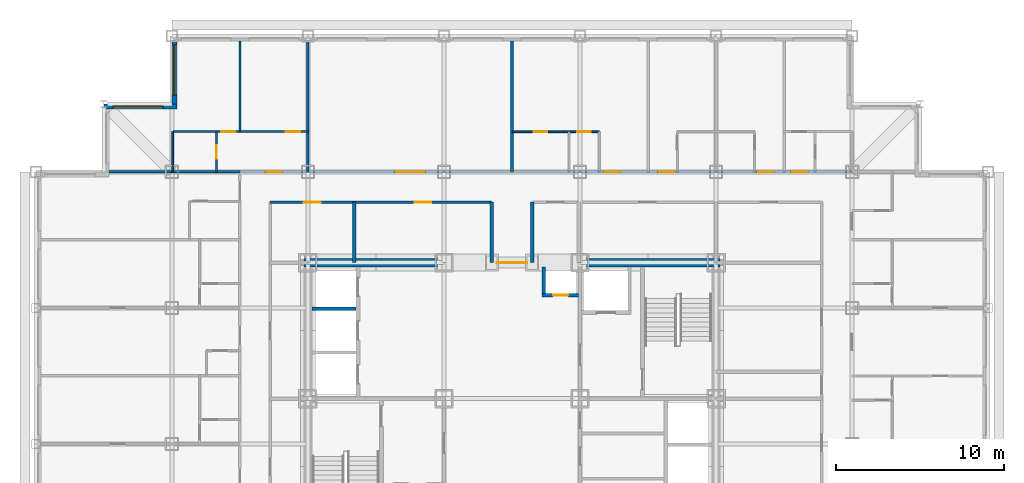
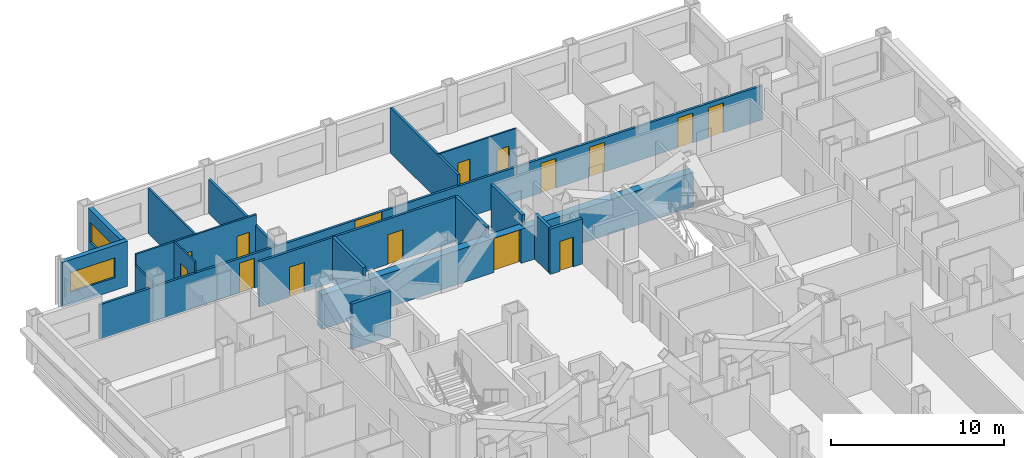
# One storey, part 9 of 12: 19 walls, 15 doors, 2 windows, 17 openings.
"""IFC4 building model written with IfcOpenShell, lengths in metres."""

from ifc_helpers import new_model, si_unit, direction, frame, frame_2d, origin, place, context, subcontext, project, spatial, rectangle, extrude, material, layer, layer_set, type_object, element, fill, save


model = new_model("IFC4")

# Units and contexts
model_context = context("Model", 3, precision=1e-05, world=origin(), true_north=direction((0.0, 1.0)))
body_context = subcontext(model_context, "Body", "Model", "MODEL_VIEW")
ifc_project = project(units=[si_unit("LENGTHUNIT", "METRE"), si_unit("AREAUNIT", "SQUARE_METRE"), si_unit("VOLUMEUNIT", "CUBIC_METRE"), si_unit("PLANEANGLEUNIT", "RADIAN"), si_unit("MASSUNIT", "GRAM", prefix="KILO")], contexts=[model_context])

# Site, building, storey
site_placement = place(None, origin())
site = spatial("IfcSite", under=ifc_project, at=site_placement, CompositionType="ELEMENT")
building_placement = place(site_placement, origin())
building = spatial("IfcBuilding", under=site, at=building_placement, Name="Kopane Lantern Tower", CompositionType="ELEMENT")
storey_placement = place(building_placement, frame((0.0, 0.0, 144.199951171875)))
storey = spatial("IfcBuildingStorey", under=building, at=storey_placement, Name="L37", CompositionType="ELEMENT", Elevation=144.199951171875)

# Wall, openings, doors
ifc_material_1 = material(Name="Gypsum board on steel studs", Category="steel")
ifc_layer_1 = layer(ifc_material_1, 0.1201171875)
ifc_layer_set_1 = layer_set([ifc_layer_1], Name="APARTMENT INTERNAL WALL 120")
wall_type_1 = type_object("IfcWallType", Name="APARTMENT INTERNAL WALL 120", PredefinedType="PARTITIONING", material=ifc_layer_set_1)
wall_1_placement = place(storey_placement, frame((8.14990234375, 48.300048828125, 0.0), z_axis=(0.0, 0.0, 1.0), x_axis=(1.0, 0.0, 0.0)))
wall_1 = element("IfcWall", 1, at=wall_1_placement, inside=storey, type_object=wall_type_1, Name="Apartment Internal Wall 120 L37", PredefinedType="PARTITIONING", context=body_context, shape_type="SweptSolid", body=[
    extrude(rectangle(XDim=8.050048828125, YDim=0.1201171875, at=frame_2d((4.02490234375, 0.0))), origin(), (0.0, 0.0, 1.0), 3.18994140625),
])
opening_1_placement = place(wall_1_placement, frame((6.72509765625, 0.0, 0.0)))
opening_1 = element("IfcOpeningElement", 2, at=opening_1_placement, cuts=wall_1, Name="Opening L37-070", PredefinedType="OPENING", context=body_context, shape_type="SweptSolid", body=[
    extrude(rectangle(XDim=0.85009765625, YDim=2.10009765625, at=frame_2d((0.425048828125, 1.050048828125))), frame((0.0, 0.070068359375, 0.0), z_axis=(0.0, -1.0, 0.0), x_axis=(1.0, 0.0, 0.0)), (0.0, 0.0, 1.0), 0.14013671875),
])
opening_2_placement = place(wall_1_placement, frame((2.875, 0.0, 0.0)))
opening_2 = element("IfcOpeningElement", 3, at=opening_2_placement, cuts=wall_1, Name="Opening L37-072", PredefinedType="OPENING", context=body_context, shape_type="SweptSolid", body=[
    extrude(rectangle(XDim=0.85009765625, YDim=2.10009765625, at=frame_2d((0.425048828125, 1.050048828125))), frame((0.0, 0.070068359375, 0.0), z_axis=(0.0, -1.0, 0.0), x_axis=(1.0, 0.0, 0.0)), (0.0, 0.0, 1.0), 0.14013671875),
])
ifc_material_2 = material(Name="Timber door set", Category="wood")
door_type_1 = type_object("IfcDoorType", Name="DOOR D4 850x2100", OperationType="SINGLE_SWING_LEFT", PredefinedType="DOOR", material=ifc_material_2)
door_1_placement = place(opening_1_placement, origin())
door_1 = element("IfcDoor", 4, at=door_1_placement, inside=storey, type_object=door_type_1, Name="Door L37-070", OperationType="SINGLE_SWING_LEFT", OverallHeight=2.10009765625, OverallWidth=0.85009765625, PredefinedType="DOOR", context=body_context, shape_type="SweptSolid", body=[
    extrude(rectangle(XDim=0.85009765625, YDim=2.10009765625, at=frame_2d((0.425048828125, 1.050048828125))), frame((0.0, 0.02490234375, 0.0), z_axis=(0.0, -1.0, 0.0), x_axis=(1.0, 0.0, 0.0)), (0.0, 0.0, 1.0), 0.050048828125),
])
fill(opening_1, door_1)
door_2_placement = place(opening_2_placement, origin())
door_2 = element("IfcDoor", 5, at=door_2_placement, inside=storey, type_object=door_type_1, Name="Door L37-072", OperationType="SINGLE_SWING_RIGHT", OverallHeight=2.10009765625, OverallWidth=0.85009765625, PredefinedType="DOOR", context=body_context, shape_type="SweptSolid", body=[
    extrude(rectangle(XDim=0.85009765625, YDim=2.10009765625, at=frame_2d((0.425048828125, 1.050048828125))), frame((0.0, 0.02490234375, 0.0), z_axis=(0.0, -1.0, 0.0), x_axis=(1.0, 0.0, 0.0)), (0.0, 0.0, 1.0), 0.050048828125),
])
fill(opening_2, door_2)

# Wall
wall_2_placement = place(storey_placement, frame((12.14990234375, 48.300048828125, 0.0), z_axis=(0.0, 0.0, 1.0), x_axis=(0.0, 1.0, 0.0)))
element("IfcWall", 6, at=wall_2_placement, inside=storey, type_object=wall_type_1, Name="Apartment Internal Wall 120 L37", PredefinedType="PARTITIONING", context=body_context, shape_type="SweptSolid", body=[
    extrude(rectangle(XDim=5.39990234375, YDim=0.1201171875, at=frame_2d((2.699951171875, 0.0))), origin(), (0.0, 0.0, 1.0), 3.18994140625),
])

# Wall, openings, doors
ifc_material_3 = material(Name="Moisture-resistant board on steel studs", Category="steel")
ifc_layer_2 = layer(ifc_material_3, 0.10009765625)
ifc_layer_set_2 = layer_set([ifc_layer_2], Name="BATHROOM WALL 100")
wall_type_2 = type_object("IfcWallType", Name="BATHROOM WALL 100", PredefinedType="PARTITIONING", material=ifc_layer_set_2)
wall_3_placement = place(storey_placement, frame((28.35009765625, 48.300048828125, 0.0), z_axis=(0.0, 0.0, 1.0), x_axis=(1.0, 0.0, 0.0)))
wall_3 = element("IfcWall", 7, at=wall_3_placement, inside=storey, type_object=wall_type_2, Name="Bathroom Wall 100 L37", PredefinedType="PARTITIONING", context=body_context, shape_type="SweptSolid", body=[
    extrude(rectangle(XDim=5.199951171875, YDim=0.10009765625, at=frame_2d((2.60009765625, 0.0))), origin(), (0.0, 0.0, 1.0), 3.18994140625),
])
opening_3_placement = place(wall_3_placement, frame((1.300048828125, 0.0, 0.0)))
opening_3 = element("IfcOpeningElement", 8, at=opening_3_placement, cuts=wall_3, Name="Opening L37-027", PredefinedType="OPENING", context=body_context, shape_type="SweptSolid", body=[
    extrude(rectangle(XDim=0.800048828125, YDim=2.10009765625, at=frame_2d((0.39990234375, 1.050048828125))), frame((0.0, 0.06005859375, 0.0), z_axis=(0.0, -1.0, 0.0), x_axis=(1.0, 0.0, 0.0)), (0.0, 0.0, 1.0), 0.1201171875),
])
opening_4_placement = place(wall_3_placement, frame((3.89990234375, 0.0, 0.0)))
opening_4 = element("IfcOpeningElement", 9, at=opening_4_placement, cuts=wall_3, Name="Opening L37-028", PredefinedType="OPENING", context=body_context, shape_type="SweptSolid", body=[
    extrude(rectangle(XDim=0.800048828125, YDim=2.10009765625, at=frame_2d((0.39990234375, 1.050048828125))), frame((0.0, 0.06005859375, 0.0), z_axis=(0.0, -1.0, 0.0), x_axis=(1.0, 0.0, 0.0)), (0.0, 0.0, 1.0), 0.1201171875),
])
ifc_material_4 = material(Name="Timber door set", Category="wood")
door_type_2 = type_object("IfcDoorType", Name="DOOR D2 800x2100", OperationType="SINGLE_SWING_LEFT", PredefinedType="DOOR", material=ifc_material_4)
door_3_placement = place(opening_3_placement, origin())
door_3 = element("IfcDoor", 10, at=door_3_placement, inside=storey, type_object=door_type_2, Name="Door L37-027", OperationType="SINGLE_SWING_LEFT", OverallHeight=2.10009765625, OverallWidth=0.800048828125, PredefinedType="DOOR", context=body_context, shape_type="SweptSolid", body=[
    extrude(rectangle(XDim=0.800048828125, YDim=2.10009765625, at=frame_2d((0.39990234375, 1.050048828125))), frame((0.0, 0.02490234375, 0.0), z_axis=(0.0, -1.0, 0.0), x_axis=(1.0, 0.0, 0.0)), (0.0, 0.0, 1.0), 0.050048828125),
])
fill(opening_3, door_3)
door_4_placement = place(opening_4_placement, origin())
door_4 = element("IfcDoor", 11, at=door_4_placement, inside=storey, type_object=door_type_2, Name="Door L37-028", OperationType="SINGLE_SWING_LEFT", OverallHeight=2.10009765625, OverallWidth=0.800048828125, PredefinedType="DOOR", context=body_context, shape_type="SweptSolid", body=[
    extrude(rectangle(XDim=0.800048828125, YDim=2.10009765625, at=frame_2d((0.39990234375, 1.050048828125))), frame((0.0, 0.02490234375, 0.0), z_axis=(0.0, -1.0, 0.0), x_axis=(1.0, 0.0, 0.0)), (0.0, 0.0, 1.0), 0.050048828125),
])
fill(opening_4, door_4)

# Wall, opening, door
wall_4_placement = place(storey_placement, frame((10.75, 45.89990234375, 0.0), z_axis=(0.0, 0.0, 1.0), x_axis=(0.0, 1.0, 0.0)))
wall_4 = element("IfcWall", 12, at=wall_4_placement, inside=storey, type_object=wall_type_2, Name="Bathroom Wall 100 L37", PredefinedType="PARTITIONING", context=body_context, shape_type="SweptSolid", body=[
    extrude(rectangle(XDim=2.400146484375, YDim=0.10009765625, at=frame_2d((1.2001953125, 0.0))), origin(), (0.0, 0.0, 1.0), 3.18994140625),
])
opening_5_placement = place(wall_4_placement, frame((0.800048828125, 0.0, 0.0)))
opening_5 = element("IfcOpeningElement", 13, at=opening_5_placement, cuts=wall_4, Name="Opening L37-071", PredefinedType="OPENING", context=body_context, shape_type="SweptSolid", body=[
    extrude(rectangle(XDim=0.800048828125, YDim=2.10009765625, at=frame_2d((0.39990234375, 1.050048828125))), frame((0.0, 0.06005859375, 0.0), z_axis=(0.0, -1.0, 0.0), x_axis=(1.0, 0.0, 0.0)), (0.0, 0.0, 1.0), 0.1201171875),
])
door_5_placement = place(opening_5_placement, origin())
door_5 = element("IfcDoor", 14, at=door_5_placement, inside=storey, type_object=door_type_2, Name="Door L37-071", OperationType="SINGLE_SWING_LEFT", OverallHeight=2.10009765625, OverallWidth=0.800048828125, PredefinedType="DOOR", context=body_context, shape_type="SweptSolid", body=[
    extrude(rectangle(XDim=0.800048828125, YDim=2.10009765625, at=frame_2d((0.39990234375, 1.050048828125))), frame((0.0, 0.02490234375, 0.0), z_axis=(0.0, -1.0, 0.0), x_axis=(1.0, 0.0, 0.0)), (0.0, 0.0, 1.0), 0.050048828125),
])
fill(opening_5, door_5)

# Wall
wall_5_placement = place(storey_placement, frame((8.14990234375, 45.89990234375, 0.0), z_axis=(0.0, 0.0, 1.0), x_axis=(0.0, 1.0, 0.0)))
element("IfcWall", 15, at=wall_5_placement, inside=storey, type_object=wall_type_2, Name="Bathroom Wall 100 L37", PredefinedType="PARTITIONING", context=body_context, shape_type="SweptSolid", body=[
    extrude(rectangle(XDim=2.400146484375, YDim=0.10009765625, at=frame_2d((1.2001953125, 0.0))), origin(), (0.0, 0.0, 1.0), 2.420166015625),
])

# Wall, opening, door
ifc_material_5 = material(Name="Gypsum shaft wall EI 120", Category="gypsum")
ifc_layer_3 = layer(ifc_material_5, 0.5)
ifc_layer_set_3 = layer_set([ifc_layer_3], Name="CORE PERIMETER WALL 500 EI 120")
wall_type_3 = type_object("IfcWallType", Name="CORE PERIMETER WALL 500 EI 120", PredefinedType="SOLIDWALL", material=ifc_layer_set_3)
wall_6_placement = place(storey_placement, frame((15.949951171875, 40.5, 0.0), z_axis=(0.0, 0.0, 1.0), x_axis=(1.0, 0.0, 0.0)))
wall_6 = element("IfcWall", 16, at=wall_6_placement, inside=storey, type_object=wall_type_3, Name="Core shaft wall L37 PN", PredefinedType="SOLIDWALL", context=body_context, shape_type="SweptSolid", body=[
    extrude(rectangle(XDim=24.800048828125, YDim=0.5, at=frame_2d((12.39990234375, 0.0))), origin(), (0.0, 0.0, 1.0), 2.420166015625),
])
opening_6_placement = place(wall_6_placement, frame((11.5, 0.0, 0.0)))
opening_6 = element("IfcOpeningElement", 17, at=opening_6_placement, cuts=wall_6, Name="Opening 37.CE-N", PredefinedType="OPENING", context=body_context, shape_type="SweptSolid", body=[
    extrude(rectangle(XDim=1.800048828125, YDim=2.39990234375, at=frame_2d((0.89990234375, 1.199951171875))), frame((0.0, 0.260009765625, 0.0), z_axis=(0.0, -1.0, 0.0), x_axis=(1.0, 0.0, 0.0)), (0.0, 0.0, 1.0), 0.52001953125),
])
ifc_material_6 = material(Name="Steel door set", Category="steel")
door_type_3 = type_object("IfcDoorType", Name="CORE ENTRY DOOR 1800x2400 FD60S", OperationType="DOUBLE_DOOR_SINGLE_SWING", PredefinedType="DOOR", material=ifc_material_6)
door_6_placement = place(opening_6_placement, origin())
door_6 = element("IfcDoor", 18, at=door_6_placement, inside=storey, type_object=door_type_3, Name="Core entry door L37 north", OperationType="DOUBLE_DOOR_SINGLE_SWING", OverallHeight=2.39990234375, OverallWidth=1.800048828125, PredefinedType="DOOR", context=body_context, shape_type="SweptSolid", body=[
    extrude(rectangle(XDim=1.800048828125, YDim=2.39990234375, at=frame_2d((0.89990234375, 1.199951171875))), frame((0.0, 0.02490234375, 0.0), z_axis=(0.0, -1.0, 0.0), x_axis=(1.0, 0.0, 0.0)), (0.0, 0.0, 1.0), 0.050048828125),
])
fill(opening_6, door_6)

# Wall, openings, doors
ifc_material_7 = material(Name="Gypsum board on steel studs", Category="steel")
ifc_layer_4 = layer(ifc_material_7, 0.14990234375)
ifc_layer_set_4 = layer_set([ifc_layer_4], Name="CORRIDOR WALL 150 EI 60")
wall_type_4 = type_object("IfcWallType", Name="CORRIDOR WALL 150 EI 60", PredefinedType="PARTITIONING", material=ifc_layer_set_4)
wall_7_placement = place(storey_placement, frame((12.14990234375, 45.89990234375, 0.0), z_axis=(0.0, 0.0, 1.0), x_axis=(1.0, 0.0, 0.0)))
wall_7 = element("IfcWall", 19, at=wall_7_placement, inside=storey, type_object=wall_type_4, Name="Corridor Wall 150 Ei 60 L37", PredefinedType="PARTITIONING", context=body_context, shape_type="SweptSolid", body=[
    extrude(rectangle(XDim=36.4501953125, YDim=0.14990234375, at=frame_2d((18.22509765625, 0.0))), origin(), (0.0, 0.0, 1.0), 2.420166015625),
])
opening_7_placement = place(wall_7_placement, frame((9.22509765625, 0.0, 0.0)))
opening_7 = element("IfcOpeningElement", 20, at=opening_7_placement, cuts=wall_7, Name="Opening L37-026", PredefinedType="OPENING", context=body_context, shape_type="SweptSolid", body=[
    extrude(rectangle(XDim=1.800048828125, YDim=2.39990234375, at=frame_2d((0.89990234375, 1.199951171875))), frame((0.0, 0.0849609375, 0.0), z_axis=(0.0, -1.0, 0.0), x_axis=(1.0, 0.0, 0.0)), (0.0, 0.0, 1.0), 0.169921875),
])
opening_8_placement = place(wall_7_placement, frame((21.64990234375, 0.0, 0.0)))
opening_8 = element("IfcOpeningElement", 21, at=opening_8_placement, cuts=wall_7, Name="Opening L37-029", PredefinedType="OPENING", context=body_context, shape_type="SweptSolid", body=[
    extrude(rectangle(XDim=1.0, YDim=2.10009765625, at=frame_2d((0.5, 1.050048828125))), frame((0.0, 0.0849609375, 0.0), z_axis=(0.0, -1.0, 0.0), x_axis=(1.0, 0.0, 0.0)), (0.0, 0.0, 1.0), 0.169921875),
])
opening_9_placement = place(wall_7_placement, frame((24.89990234375, 0.0, 0.0)))
opening_9 = element("IfcOpeningElement", 22, at=opening_9_placement, cuts=wall_7, Name="Opening L37-031", PredefinedType="OPENING", context=body_context, shape_type="SweptSolid", body=[
    extrude(rectangle(XDim=1.0, YDim=2.10009765625, at=frame_2d((0.5, 1.050048828125))), frame((0.0, 0.0849609375, 0.0), z_axis=(0.0, -1.0, 0.0), x_axis=(1.0, 0.0, 0.0)), (0.0, 0.0, 1.0), 0.169921875),
])
opening_10_placement = place(wall_7_placement, frame((30.800048828125, 0.0, 0.0)))
opening_10 = element("IfcOpeningElement", 23, at=opening_10_placement, cuts=wall_7, Name="Opening L37-033", PredefinedType="OPENING", context=body_context, shape_type="SweptSolid", body=[
    extrude(rectangle(XDim=1.0, YDim=2.10009765625, at=frame_2d((0.5, 1.050048828125))), frame((0.0, 0.0849609375, 0.0), z_axis=(0.0, -1.0, 0.0), x_axis=(1.0, 0.0, 0.0)), (0.0, 0.0, 1.0), 0.169921875),
])
opening_11_placement = place(wall_7_placement, frame((32.824951171875, 0.0, 0.0)))
opening_11 = element("IfcOpeningElement", 24, at=opening_11_placement, cuts=wall_7, Name="Opening L37-067", PredefinedType="OPENING", context=body_context, shape_type="SweptSolid", body=[
    extrude(rectangle(XDim=1.0, YDim=2.10009765625, at=frame_2d((0.5, 1.050048828125))), frame((0.0, 0.0849609375, 0.0), z_axis=(0.0, -1.0, 0.0), x_axis=(1.0, 0.0, 0.0)), (0.0, 0.0, 1.0), 0.169921875),
])
opening_12_placement = place(wall_7_placement, frame((1.52490234375, 0.0, 0.0)))
opening_12 = element("IfcOpeningElement", 25, at=opening_12_placement, cuts=wall_7, Name="Opening L37-069", PredefinedType="OPENING", context=body_context, shape_type="SweptSolid", body=[
    extrude(rectangle(XDim=1.0, YDim=2.10009765625, at=frame_2d((0.5, 1.050048828125))), frame((0.0, 0.0849609375, 0.0), z_axis=(0.0, -1.0, 0.0), x_axis=(1.0, 0.0, 0.0)), (0.0, 0.0, 1.0), 0.169921875),
])
ifc_material_8 = material(Name="Steel door set", Category="steel")
door_type_4 = type_object("IfcDoorType", Name="DOOR D1 1000x2100 FD30S", OperationType="SINGLE_SWING_LEFT", PredefinedType="DOOR", material=ifc_material_8)
door_7_placement = place(opening_8_placement, origin())
door_7 = element("IfcDoor", 26, at=door_7_placement, inside=storey, type_object=door_type_4, Name="Door L37-029", OperationType="SINGLE_SWING_LEFT", OverallHeight=2.10009765625, OverallWidth=1.0, PredefinedType="DOOR", context=body_context, shape_type="SweptSolid", body=[
    extrude(rectangle(XDim=1.0, YDim=2.10009765625, at=frame_2d((0.5, 1.050048828125))), frame((0.0, 0.02490234375, 0.0), z_axis=(0.0, -1.0, 0.0), x_axis=(1.0, 0.0, 0.0)), (0.0, 0.0, 1.0), 0.050048828125),
])
fill(opening_8, door_7)
door_8_placement = place(opening_9_placement, origin())
door_8 = element("IfcDoor", 27, at=door_8_placement, inside=storey, type_object=door_type_4, Name="Door L37-031", OperationType="SINGLE_SWING_RIGHT", OverallHeight=2.10009765625, OverallWidth=1.0, PredefinedType="DOOR", context=body_context, shape_type="SweptSolid", body=[
    extrude(rectangle(XDim=1.0, YDim=2.10009765625, at=frame_2d((0.5, 1.050048828125))), frame((0.0, 0.02490234375, 0.0), z_axis=(0.0, -1.0, 0.0), x_axis=(1.0, 0.0, 0.0)), (0.0, 0.0, 1.0), 0.050048828125),
])
fill(opening_9, door_8)
door_9_placement = place(opening_10_placement, origin())
door_9 = element("IfcDoor", 28, at=door_9_placement, inside=storey, type_object=door_type_4, Name="Door L37-033", OperationType="SINGLE_SWING_LEFT", OverallHeight=2.10009765625, OverallWidth=1.0, PredefinedType="DOOR", context=body_context, shape_type="SweptSolid", body=[
    extrude(rectangle(XDim=1.0, YDim=2.10009765625, at=frame_2d((0.5, 1.050048828125))), frame((0.0, 0.02490234375, 0.0), z_axis=(0.0, -1.0, 0.0), x_axis=(1.0, 0.0, 0.0)), (0.0, 0.0, 1.0), 0.050048828125),
])
fill(opening_10, door_9)
door_10_placement = place(opening_11_placement, origin())
door_10 = element("IfcDoor", 29, at=door_10_placement, inside=storey, type_object=door_type_4, Name="Door L37-067", OperationType="SINGLE_SWING_LEFT", OverallHeight=2.10009765625, OverallWidth=1.0, PredefinedType="DOOR", context=body_context, shape_type="SweptSolid", body=[
    extrude(rectangle(XDim=1.0, YDim=2.10009765625, at=frame_2d((0.5, 1.050048828125))), frame((0.0, 0.02490234375, 0.0), z_axis=(0.0, -1.0, 0.0), x_axis=(1.0, 0.0, 0.0)), (0.0, 0.0, 1.0), 0.050048828125),
])
fill(opening_11, door_10)
door_11_placement = place(opening_12_placement, origin())
door_11 = element("IfcDoor", 30, at=door_11_placement, inside=storey, type_object=door_type_4, Name="Door L37-069", OperationType="SINGLE_SWING_RIGHT", OverallHeight=2.10009765625, OverallWidth=1.0, PredefinedType="DOOR", context=body_context, shape_type="SweptSolid", body=[
    extrude(rectangle(XDim=1.0, YDim=2.10009765625, at=frame_2d((0.5, 1.050048828125))), frame((0.0, 0.02490234375, 0.0), z_axis=(0.0, -1.0, 0.0), x_axis=(1.0, 0.0, 0.0)), (0.0, 0.0, 1.0), 0.050048828125),
])
fill(opening_12, door_11)
ifc_material_9 = material(Name="Steel door set", Category="steel")
door_type_5 = type_object("IfcDoorType", Name="DOOR D6 1800x2400 FD30S", OperationType="SINGLE_SWING_LEFT", PredefinedType="DOOR", material=ifc_material_9)
door_12_placement = place(opening_7_placement, origin())
door_12 = element("IfcDoor", 31, at=door_12_placement, inside=storey, type_object=door_type_5, Name="Door L37-026", OperationType="DOUBLE_DOOR_SINGLE_SWING", OverallHeight=2.39990234375, OverallWidth=1.800048828125, PredefinedType="DOOR", context=body_context, shape_type="SweptSolid", body=[
    extrude(rectangle(XDim=1.800048828125, YDim=2.39990234375, at=frame_2d((0.89990234375, 1.199951171875))), frame((0.0, 0.02490234375, 0.0), z_axis=(0.0, -1.0, 0.0), x_axis=(1.0, 0.0, 0.0)), (0.0, 0.0, 1.0), 0.050048828125),
])
fill(opening_7, door_12)

wall_8_placement = place(storey_placement, frame((27.139892578125, 44.10009765625, 0.0), z_axis=(0.0, 0.0, 1.0), x_axis=(-1.0, 0.0, 0.0)))
wall_8 = element("IfcWall", 32, at=wall_8_placement, inside=storey, type_object=wall_type_4, Name="Corridor Wall 150 Ei 60 L37", PredefinedType="PARTITIONING", context=body_context, shape_type="SweptSolid", body=[
    extrude(rectangle(XDim=13.18994140625, YDim=0.14990234375, at=frame_2d((6.594970703125, 0.0))), origin(), (0.0, 0.0, 1.0), 3.18994140625),
])
opening_13_placement = place(wall_8_placement, frame((10.18994140625, 0.0, 0.0)))
opening_13 = element("IfcOpeningElement", 33, at=opening_13_placement, cuts=wall_8, Name="Opening L37-007", PredefinedType="OPENING", context=body_context, shape_type="SweptSolid", body=[
    extrude(rectangle(XDim=1.0, YDim=2.10009765625, at=frame_2d((0.5, 1.050048828125))), frame((0.0, 0.0849609375, 0.0), z_axis=(0.0, -1.0, 0.0), x_axis=(1.0, 0.0, 0.0)), (0.0, 0.0, 1.0), 0.169921875),
])
opening_14_placement = place(wall_8_placement, frame((3.590087890625, 0.0, 0.0)))
opening_14 = element("IfcOpeningElement", 34, at=opening_14_placement, cuts=wall_8, Name="Opening L37-008", PredefinedType="OPENING", context=body_context, shape_type="SweptSolid", body=[
    extrude(rectangle(XDim=1.0, YDim=2.10009765625, at=frame_2d((0.5, 1.050048828125))), frame((0.0, 0.0849609375, 0.0), z_axis=(0.0, -1.0, 0.0), x_axis=(1.0, 0.0, 0.0)), (0.0, 0.0, 1.0), 0.169921875),
])
ifc_material_10 = material(Name="Steel door set", Category="steel")
door_type_6 = type_object("IfcDoorType", Name="DOOR D5 1000x2100 FD60", OperationType="SINGLE_SWING_LEFT", PredefinedType="DOOR", material=ifc_material_10)
door_13_placement = place(opening_13_placement, origin())
door_13 = element("IfcDoor", 35, at=door_13_placement, inside=storey, type_object=door_type_6, Name="Door L37-007", OperationType="SINGLE_SWING_RIGHT", OverallHeight=2.10009765625, OverallWidth=1.0, PredefinedType="DOOR", context=body_context, shape_type="SweptSolid", body=[
    extrude(rectangle(XDim=1.0, YDim=2.10009765625, at=frame_2d((0.5, 1.050048828125))), frame((0.0, 0.02490234375, 0.0), z_axis=(0.0, -1.0, 0.0), x_axis=(1.0, 0.0, 0.0)), (0.0, 0.0, 1.0), 0.050048828125),
])
fill(opening_13, door_13)
door_14_placement = place(opening_14_placement, origin())
door_14 = element("IfcDoor", 36, at=door_14_placement, inside=storey, type_object=door_type_6, Name="Door L37-008", OperationType="SINGLE_SWING_LEFT", OverallHeight=2.10009765625, OverallWidth=1.0, PredefinedType="DOOR", context=body_context, shape_type="SweptSolid", body=[
    extrude(rectangle(XDim=1.0, YDim=2.10009765625, at=frame_2d((0.5, 1.050048828125))), frame((0.0, 0.02490234375, 0.0), z_axis=(0.0, -1.0, 0.0), x_axis=(1.0, 0.0, 0.0)), (0.0, 0.0, 1.0), 0.050048828125),
])
fill(opening_14, door_14)

# Walls
ifc_material_11 = material(Name="Gypsum board on steel studs", Category="steel")
ifc_layer_5 = layer(ifc_material_11, 0.14990234375)
ifc_layer_set_5 = layer_set([ifc_layer_5], Name="DEMISING WALL 150 EI 60")
wall_type_5 = type_object("IfcWallType", Name="DEMISING WALL 150 EI 60", PredefinedType="PARTITIONING", material=ifc_layer_set_5)
wall_9_placement = place(storey_placement, frame((28.35009765625, 45.89990234375, 0.0), z_axis=(0.0, 0.0, 1.0), x_axis=(0.0, 1.0, 0.0)))
element("IfcWall", 37, at=wall_9_placement, inside=storey, type_object=wall_type_5, Name="Demising Wall 150 Ei 60 L37", PredefinedType="PARTITIONING", context=body_context, shape_type="SweptSolid", body=[
    extrude(rectangle(XDim=7.800048828125, YDim=0.14990234375, at=frame_2d((3.89990234375, 0.0))), origin(), (0.0, 0.0, 1.0), 3.18994140625),
])
wall_10_placement = place(storey_placement, frame((4.35009765625, 45.89990234375, 0.0), z_axis=(0.0, 0.0, 1.0), x_axis=(1.0, 0.0, 0.0)))
element("IfcWall", 38, at=wall_10_placement, inside=storey, type_object=wall_type_5, Name="Demising Wall 150 Ei 60 L37", PredefinedType="PARTITIONING", context=body_context, shape_type="SweptSolid", body=[
    extrude(rectangle(XDim=7.7998046875, YDim=0.14990234375, at=frame_2d((3.89990234375, 0.0))), origin(), (0.0, 0.0, 1.0), 2.420166015625),
])
wall_11_placement = place(storey_placement, frame((16.199951171875, 45.89990234375, 0.0), z_axis=(0.0, 0.0, 1.0), x_axis=(0.0, 1.0, 0.0)))
element("IfcWall", 39, at=wall_11_placement, inside=storey, type_object=wall_type_5, Name="Demising Wall 150 Ei 60 L37", PredefinedType="PARTITIONING", context=body_context, shape_type="SweptSolid", body=[
    extrude(rectangle(XDim=7.800048828125, YDim=0.14990234375, at=frame_2d((3.89990234375, 0.0))), origin(), (0.0, 0.0, 1.0), 2.420166015625),
])

# Wall, opening, window
ifc_material_12 = material(Name="Terracotta rainscreen on light steel framing", Category="masonry")
ifc_layer_6 = layer(ifc_material_12, 0.300048828125)
ifc_layer_set_6 = layer_set([ifc_layer_6], Name="EXTERNAL WALL EW1 300 TERRACOTTA")
wall_type_6 = type_object("IfcWallType", Name="EXTERNAL WALL EW1 300 TERRACOTTA", PredefinedType="SOLIDWALL", material=ifc_layer_set_6)
wall_12_placement = place(storey_placement, frame((8.25, 53.699951171875, 0.0), z_axis=(0.0, 0.0, 1.0), x_axis=(0.0, -1.0, 0.0)))
wall_12 = element("IfcWall", 40, at=wall_12_placement, inside=storey, type_object=wall_type_6, Name="External wall W L37", PredefinedType="SOLIDWALL", context=body_context, shape_type="SweptSolid", body=[
    extrude(rectangle(XDim=3.75, YDim=0.300048828125, at=frame_2d((1.875, 0.0))), origin(), (0.0, 0.0, 1.0), 3.18994140625),
])
opening_15_placement = place(wall_12_placement, frame((0.22509765625, 0.0, 0.89990234375)))
opening_15 = element("IfcOpeningElement", 41, at=opening_15_placement, cuts=wall_12, Name="Opening WR300140", PredefinedType="OPENING", context=body_context, shape_type="SweptSolid", body=[
    extrude(rectangle(XDim=3.0, YDim=1.39990234375, at=frame_2d((1.5, 0.699951171875))), frame((0.0, 0.159912109375, 0.0), z_axis=(0.0, -1.0, 0.0), x_axis=(1.0, 0.0, 0.0)), (0.0, 0.0, 1.0), 0.320068359375),
])
ifc_material_13 = material(Name="Aluminium and clear glass", Category="aluminium")
window_type = type_object("IfcWindowType", Name="RIBBON WINDOW WR300140 3000x1400", PartitioningType="SINGLE_PANEL", PredefinedType="WINDOW", material=ifc_material_13)
window_1_placement = place(opening_15_placement, origin())
window_1 = element("IfcWindow", 42, at=window_1_placement, inside=storey, type_object=window_type, Name="Window W L37", OverallHeight=1.39990234375, OverallWidth=3.0, PartitioningType="SINGLE_PANEL", PredefinedType="WINDOW", context=body_context, shape_type="SweptSolid", body=[
    extrude(rectangle(XDim=3.0, YDim=1.39990234375, at=frame_2d((1.5, 0.699951171875))), frame((0.0, 0.030029296875, 0.0), z_axis=(0.0, -1.0, 0.0), x_axis=(1.0, 0.0, 0.0)), (0.0, 0.0, 1.0), 0.06005859375),
])
fill(opening_15, window_1)

wall_13_placement = place(storey_placement, frame((8.39990234375, 49.800048828125, 0.0), z_axis=(0.0, 0.0, 1.0), x_axis=(-1.0, 0.0, 0.0)))
wall_13 = element("IfcWall", 43, at=wall_13_placement, inside=storey, type_object=wall_type_6, Name="External wall N L37", PredefinedType="SOLIDWALL", context=body_context, shape_type="SweptSolid", body=[
    extrude(rectangle(XDim=4.349853515625, YDim=0.300048828125, at=frame_2d((2.1748046875, 0.0))), origin(), (0.0, 0.0, 1.0), 3.18994140625),
])
opening_16_placement = place(wall_13_placement, frame((0.824951171875, 0.0, 0.89990234375)))
opening_16 = element("IfcOpeningElement", 44, at=opening_16_placement, cuts=wall_13, Name="Opening WR300140", PredefinedType="OPENING", context=body_context, shape_type="SweptSolid", body=[
    extrude(rectangle(XDim=3.0, YDim=1.39990234375, at=frame_2d((1.5, 0.699951171875))), frame((0.0, 0.159912109375, 0.0), z_axis=(0.0, -1.0, 0.0), x_axis=(1.0, 0.0, 0.0)), (0.0, 0.0, 1.0), 0.320068359375),
])
window_2_placement = place(opening_16_placement, origin())
window_2 = element("IfcWindow", 45, at=window_2_placement, inside=storey, type_object=window_type, Name="Window N L37", OverallHeight=1.39990234375, OverallWidth=3.0, PartitioningType="SINGLE_PANEL", PredefinedType="WINDOW", context=body_context, shape_type="SweptSolid", body=[
    extrude(rectangle(XDim=3.0, YDim=1.39990234375, at=frame_2d((1.5, 0.699951171875))), frame((0.0, 0.030029296875, 0.0), z_axis=(0.0, -1.0, 0.0), x_axis=(1.0, 0.0, 0.0)), (0.0, 0.0, 1.0), 0.06005859375),
])
fill(opening_16, window_2)

# Walls
ifc_material_14 = material(Name="Concrete masonry", Category="masonry")
ifc_layer_7 = layer(ifc_material_14, 0.199951171875)
ifc_layer_set_7 = layer_set([ifc_layer_7], Name="PLANT ROOM WALL 200 EI 120")
wall_type_7 = type_object("IfcWallType", Name="PLANT ROOM WALL 200 EI 120", PredefinedType="SOLIDWALL", material=ifc_layer_set_7)
for number, where, z_axis, x_axis, name in (
    (46, (18.949951171875, 44.10009765625, 0.0), (0.0, 0.0, 1.0), (0.0, -1.0, 0.0), "Plant Room Wall 200 Ei 120 L37"),
    (47, (27.14990234375, 40.5, 0.0), (0.0, 0.0, 1.0), (0.0, 1.0, 0.0), "Plant Room Wall 200 Ei 120 L37"),
    (48, (29.550048828125, 40.5, 0.0), (0.0, 0.0, 1.0), (0.0, 1.0, 0.0), "Plant Room Wall 200 Ei 120 L37"),
):
    element("IfcWall", number, at=place(storey_placement, frame(where, z_axis=z_axis, x_axis=x_axis)), inside=storey, type_object=wall_type_7, Name=name, PredefinedType="SOLIDWALL", context=body_context, shape_type="SweptSolid", body=[
        extrude(rectangle(XDim=3.60009765625, YDim=0.199951171875, at=frame_2d((1.800048828125, 0.0))), origin(), (0.0, 0.0, 1.0), 3.18994140625),
    ])
ifc_material_15 = material(Name="Gypsum shaft wall EI 120", Category="gypsum")
ifc_layer_8 = layer(ifc_material_15, 0.199951171875)
ifc_layer_set_8 = layer_set([ifc_layer_8], Name="SHAFT WALL 200 EI 120")
wall_type_8 = type_object("IfcWallType", Name="SHAFT WALL 200 EI 120", PredefinedType="SOLIDWALL", material=ifc_layer_set_8)
wall_14_placement = place(storey_placement, frame((16.449951171875, 37.75, 0.0), z_axis=(0.0, 0.0, 1.0), x_axis=(1.0, 0.0, 0.0)))
element("IfcWall", 49, at=wall_14_placement, inside=storey, type_object=wall_type_8, Name="Core shaft wall L37 YLH23", PredefinedType="SOLIDWALL", context=body_context, shape_type="SweptSolid", body=[
    extrude(rectangle(XDim=2.60009765625, YDim=0.199951171875, at=frame_2d((1.300048828125, 0.0))), origin(), (0.0, 0.0, 1.0), 3.18994140625),
])
wall_15_placement = place(storey_placement, frame((30.25, 38.64990234375, 0.0), z_axis=(0.0, 0.0, 1.0), x_axis=(0.0, 1.0, 0.0)))
element("IfcWall", 50, at=wall_15_placement, inside=storey, type_object=wall_type_8, Name="Core shaft wall L37 XRS2", PredefinedType="SOLIDWALL", context=body_context, shape_type="SweptSolid", body=[
    extrude(rectangle(XDim=1.60009765625, YDim=0.199951171875, at=frame_2d((0.800048828125, 0.0))), origin(), (0.0, 0.0, 1.0), 3.18994140625),
])

# Wall, opening, door
wall_16_placement = place(storey_placement, frame((30.14990234375, 38.550048828125, 0.0), z_axis=(0.0, 0.0, 1.0), x_axis=(1.0, 0.0, 0.0)))
wall_16 = element("IfcWall", 51, at=wall_16_placement, inside=storey, type_object=wall_type_8, Name="Core shaft wall L37 YRS2", PredefinedType="SOLIDWALL", context=body_context, shape_type="SweptSolid", body=[
    extrude(rectangle(XDim=2.150146484375, YDim=0.199951171875, at=frame_2d((1.0751953125, 0.0))), origin(), (0.0, 0.0, 1.0), 3.18994140625),
])
opening_17_placement = place(wall_16_placement, frame((0.64990234375, 0.0, 0.0)))
opening_17 = element("IfcOpeningElement", 52, at=opening_17_placement, cuts=wall_16, Name="Opening 37.RS2", PredefinedType="OPENING", context=body_context, shape_type="SweptSolid", body=[
    extrude(rectangle(XDim=0.89990234375, YDim=2.10009765625, at=frame_2d((0.449951171875, 1.050048828125))), frame((0.0, 0.10986328125, 0.0), z_axis=(0.0, -1.0, 0.0), x_axis=(1.0, 0.0, 0.0)), (0.0, 0.0, 1.0), 0.219970703125),
])
ifc_material_16 = material(Name="Steel door set", Category="steel")
door_type_7 = type_object("IfcDoorType", Name="RISER ACCESS DOOR 900x2100 FD60", OperationType="SINGLE_SWING_LEFT", PredefinedType="DOOR", material=ifc_material_16)
door_15_placement = place(opening_17_placement, origin())
door_15 = element("IfcDoor", 53, at=door_15_placement, inside=storey, type_object=door_type_7, Name="Riser access door RS2 L37", OperationType="SINGLE_SWING_LEFT", OverallHeight=2.10009765625, OverallWidth=0.89990234375, PredefinedType="DOOR", context=body_context, shape_type="SweptSolid", body=[
    extrude(rectangle(XDim=0.89990234375, YDim=2.10009765625, at=frame_2d((0.449951171875, 1.050048828125))), frame((0.0, 0.02490234375, 0.0), z_axis=(0.0, -1.0, 0.0), x_axis=(1.0, 0.0, 0.0)), (0.0, 0.0, 1.0), 0.050048828125),
])
fill(opening_17, door_15)

save(model, "model.ifc")
